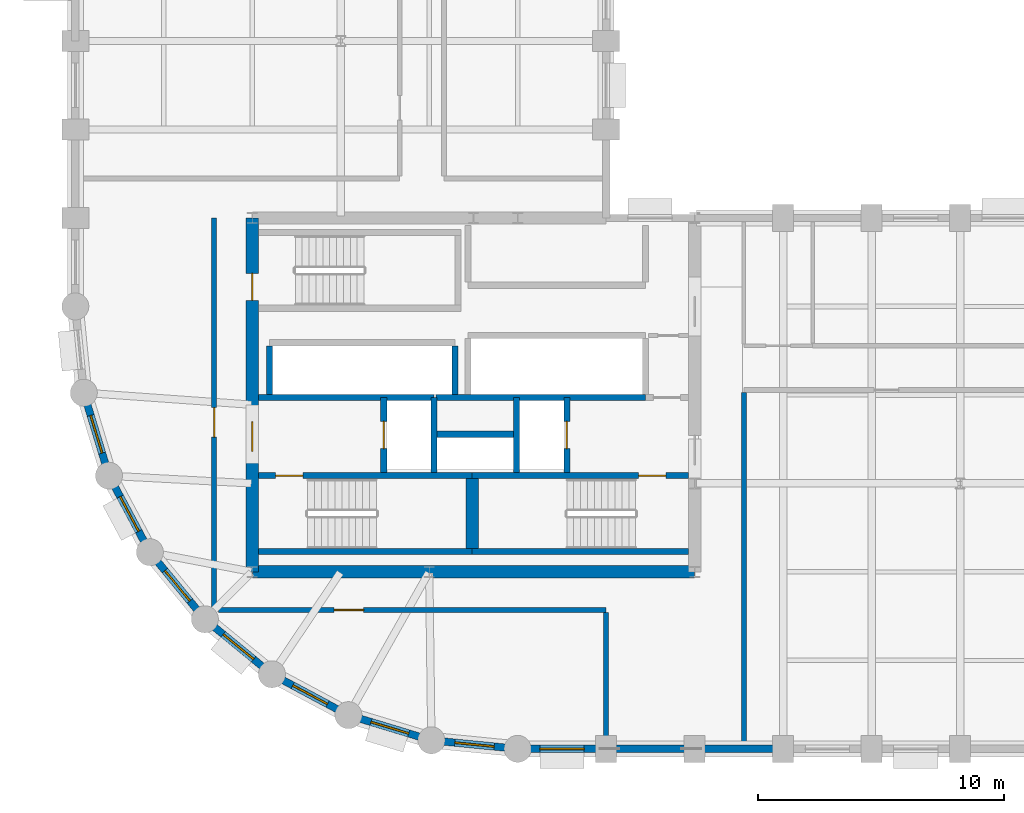
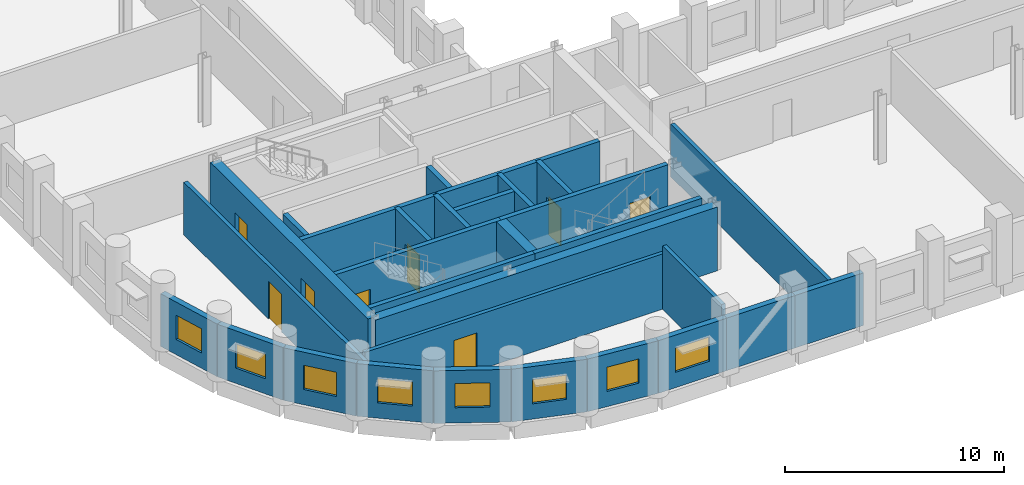
# One storey, part 3 of 8: 30 walls, 8 doors, 8 windows, 16 openings.
"""IFC4 building model written with IfcOpenShell, lengths in metres."""

from ifc_helpers import new_model, si_unit, direction, frame, frame_2d, origin, place, context, subcontext, project, spatial, rectangle, extrude, material, layer, layer_set, type_object, element, fill, save


model = new_model("IFC4")

# Units and contexts
model_context = context("Model", 3, precision=1e-05, world=origin(), true_north=direction((0.0, 1.0)))
body_context = subcontext(model_context, "Body", "Model", "MODEL_VIEW")
ifc_project = project(units=[si_unit("LENGTHUNIT", "METRE"), si_unit("AREAUNIT", "SQUARE_METRE"), si_unit("VOLUMEUNIT", "CUBIC_METRE"), si_unit("PLANEANGLEUNIT", "RADIAN"), si_unit("MASSUNIT", "GRAM", prefix="KILO")], contexts=[model_context])

# Site, building, storey
site_placement = place(None, origin())
site = spatial("IfcSite", under=ifc_project, at=site_placement, CompositionType="ELEMENT")
building_placement = place(site_placement, origin())
building = spatial("IfcBuilding", under=site, at=building_placement, Name="Solnavia Interchange Tower", CompositionType="ELEMENT")
storey_placement = place(building_placement, frame((0.0, 0.0, 120.0)))
storey = spatial("IfcBuildingStorey", under=building, at=storey_placement, Name="L29", CompositionType="ELEMENT", Elevation=120.0)

# Wall, opening, window
ifc_material_1 = material(Name="Concrete C40/50", Category="concrete")
ifc_layer_1 = layer(ifc_material_1, 0.300048828125)
ifc_layer_set_1 = layer_set([ifc_layer_1], Name="Concrete C40/50")
wall_type_1 = type_object("IfcWallType", Name="Wall-ExtSpandrel-300", PredefinedType="STANDARD", material=ifc_layer_set_1)
wall_1_placement = place(storey_placement, frame((28.800048828125, 3.60009765625, 0.0), z_axis=(0.0, 0.0, 1.0), x_axis=(-1.0, 0.0, 0.0)))
wall_1 = element("IfcWall", 1, at=wall_1_placement, inside=storey, type_object=wall_type_1, Name="EXW-L29-01 Exterior precast spandrel wall", PredefinedType="STANDARD", context=body_context, shape_type="SweptSolid", body=[
    extrude(rectangle(XDim=3.60009765625, YDim=0.300048828125, at=frame_2d((1.800048828125, 0.0))), origin(), (0.0, 0.0, 1.0), 2.929931640625),
])
opening_1_placement = place(wall_1_placement, frame((0.89990234375, 0.0, 0.85009765625)))
opening_1 = element("IfcOpeningElement", 2, at=opening_1_placement, cuts=wall_1, Name="Opening WIN-02", PredefinedType="OPENING", context=body_context, shape_type="SweptSolid", body=[
    extrude(rectangle(XDim=1.800048828125, YDim=1.35009765625, at=frame_2d((0.89990234375, 0.675048828125))), frame((0.0, 0.16015625, 0.0), z_axis=(0.0, -1.0, 0.0), x_axis=(1.0, 0.0, 0.0)), (0.0, 0.0, 1.0), 0.320068359375),
])
ifc_material_2 = material(Name="Thermal-Break Aluminium & Low-E Glass", Category="aluminium")
window_type_1 = type_object("IfcWindowType", Name="Window-Ribbon-1800x1350", PartitioningType="SINGLE_PANEL", PredefinedType="WINDOW", material=ifc_material_2)
window_1_placement = place(opening_1_placement, origin())
window_1 = element("IfcWindow", 3, at=window_1_placement, inside=storey, type_object=window_type_1, Name="WIN-L29-01 Facade ribbon window", OverallHeight=1.35009765625, OverallWidth=1.800048828125, PartitioningType="SINGLE_PANEL", PredefinedType="WINDOW", context=body_context, shape_type="SweptSolid", body=[
    extrude(rectangle(XDim=1.800048828125, YDim=1.35009765625, at=frame_2d((0.89990234375, 0.675048828125))), frame((0.0, 0.030029296875, 0.0), z_axis=(0.0, -1.0, 0.0), x_axis=(1.0, 0.0, 0.0)), (0.0, 0.0, 1.0), 0.06005859375),
])
fill(opening_1, window_1)

# Walls
wall_2_placement = place(storey_placement, frame((32.39990234375, 3.60009765625, 0.0), z_axis=(0.0, 0.0, 1.0), x_axis=(-1.0, 0.0, 0.0)))
element("IfcWall", 4, at=wall_2_placement, inside=storey, type_object=wall_type_1, Name="EXW-L29-02 Exterior precast spandrel wall", PredefinedType="STANDARD", context=body_context, shape_type="SweptSolid", body=[
    extrude(rectangle(XDim=3.599853515625, YDim=0.300048828125, at=frame_2d((1.7998046875, 0.0))), origin(), (0.0, 0.0, 1.0), 2.929931640625),
])
wall_3_placement = place(storey_placement, frame((36.0, 3.60009765625, 0.0), z_axis=(0.0, 0.0, 1.0), x_axis=(-1.0, 0.0, 0.0)))
element("IfcWall", 5, at=wall_3_placement, inside=storey, type_object=wall_type_1, Name="EXW-L29-03 Exterior precast spandrel wall", PredefinedType="STANDARD", context=body_context, shape_type="SweptSolid", body=[
    extrude(rectangle(XDim=3.60009765625, YDim=0.300048828125, at=frame_2d((1.800048828125, 0.0))), origin(), (0.0, 0.0, 1.0), 2.929931640625),
])

# Wall, opening, window
wall_4_placement = place(storey_placement, frame((8.570068359375, 14.7119140625, 0.0), z_axis=(0.0, 0.0, 1.0), x_axis=(-0.290305086481, 0.956934144423, 0.0)))
wall_4 = element("IfcWall", 6, at=wall_4_placement, inside=storey, type_object=wall_type_1, Name="EXW-L29-56 Exterior precast spandrel wall", PredefinedType="STANDARD", context=body_context, shape_type="SweptSolid", body=[
    extrude(rectangle(XDim=3.52783203125, YDim=0.300048828125, at=frame_2d((1.763916015625, 0.0))), origin(), (0.0, 0.0, 1.0), 2.929931640625),
])
opening_2_placement = place(wall_4_placement, frame((0.964111328125, 0.0, 0.85009765625)))
opening_2 = element("IfcOpeningElement", 7, at=opening_2_placement, cuts=wall_4, Name="Opening WIN-04", PredefinedType="OPENING", context=body_context, shape_type="SweptSolid", body=[
    extrude(rectangle(XDim=1.60009765625, YDim=1.35009765625, at=frame_2d((0.800048828125, 0.675048828125))), frame((0.0, 0.16015625, 0.0), z_axis=(0.0, -1.0, 0.0), x_axis=(1.0, 0.0, 0.0)), (0.0, 0.0, 1.0), 0.320068359375),
])
window_type_2 = type_object("IfcWindowType", Name="Window-Drum-1600x1350", PartitioningType="SINGLE_PANEL", PredefinedType="WINDOW", material=ifc_material_2)
window_2_placement = place(opening_2_placement, origin())
window_2 = element("IfcWindow", 8, at=window_2_placement, inside=storey, type_object=window_type_2, Name="WIN-L29-56 Facade ribbon window", OverallHeight=1.35009765625, OverallWidth=1.60009765625, PartitioningType="SINGLE_PANEL", PredefinedType="WINDOW", context=body_context, shape_type="SweptSolid", body=[
    extrude(rectangle(XDim=1.60009765625, YDim=1.35009765625, at=frame_2d((0.800048828125, 0.675048828125))), frame((0.0, 0.030029296875, 0.0), z_axis=(0.0, -1.0, 0.0), x_axis=(1.0, 0.0, 0.0)), (0.0, 0.0, 1.0), 0.06005859375),
])
fill(opening_2, window_2)

wall_5_placement = place(storey_placement, frame((10.23388671875, 11.60009765625, 0.0), z_axis=(0.0, 0.0, 1.0), x_axis=(-0.47151087309, 0.881860247748, 0.0)))
wall_5 = element("IfcWall", 9, at=wall_5_placement, inside=storey, type_object=wall_type_1, Name="EXW-L29-57 Exterior precast spandrel wall", PredefinedType="STANDARD", context=body_context, shape_type="SweptSolid", body=[
    extrude(rectangle(XDim=3.52880859375, YDim=0.300048828125, at=frame_2d((1.764404296875, 0.0))), origin(), (0.0, 0.0, 1.0), 2.929931640625),
])
opening_3_placement = place(wall_5_placement, frame((0.964111328125, 0.0, 0.85009765625)))
opening_3 = element("IfcOpeningElement", 10, at=opening_3_placement, cuts=wall_5, Name="Opening WIN-04", PredefinedType="OPENING", context=body_context, shape_type="SweptSolid", body=[
    extrude(rectangle(XDim=1.60009765625, YDim=1.35009765625, at=frame_2d((0.800048828125, 0.675048828125))), frame((0.0, 0.16015625, 0.0), z_axis=(0.0, -1.0, 0.0), x_axis=(1.0, 0.0, 0.0)), (0.0, 0.0, 1.0), 0.320068359375),
])
window_3_placement = place(opening_3_placement, origin())
window_3 = element("IfcWindow", 11, at=window_3_placement, inside=storey, type_object=window_type_2, Name="WIN-L29-57 Facade ribbon window", OverallHeight=1.35009765625, OverallWidth=1.60009765625, PartitioningType="SINGLE_PANEL", PredefinedType="WINDOW", context=body_context, shape_type="SweptSolid", body=[
    extrude(rectangle(XDim=1.60009765625, YDim=1.35009765625, at=frame_2d((0.800048828125, 0.675048828125))), frame((0.0, 0.030029296875, 0.0), z_axis=(0.0, -1.0, 0.0), x_axis=(1.0, 0.0, 0.0)), (0.0, 0.0, 1.0), 0.06005859375),
])
fill(opening_3, window_3)

wall_6_placement = place(storey_placement, frame((12.471923828125, 8.8720703125, 0.0), z_axis=(0.0, 0.0, 1.0), x_axis=(-0.634258295121, 0.773121216285, 0.0)))
wall_6 = element("IfcWall", 12, at=wall_6_placement, inside=storey, type_object=wall_type_1, Name="EXW-L29-58 Exterior precast spandrel wall", PredefinedType="STANDARD", context=body_context, shape_type="SweptSolid", body=[
    extrude(rectangle(XDim=3.528564453125, YDim=0.300048828125, at=frame_2d((1.76416015625, 0.0))), origin(), (0.0, 0.0, 1.0), 2.929931640625),
])
opening_4_placement = place(wall_6_placement, frame((0.964111328125, 0.0, 0.85009765625)))
opening_4 = element("IfcOpeningElement", 13, at=opening_4_placement, cuts=wall_6, Name="Opening WIN-04", PredefinedType="OPENING", context=body_context, shape_type="SweptSolid", body=[
    extrude(rectangle(XDim=1.60009765625, YDim=1.35009765625, at=frame_2d((0.800048828125, 0.675048828125))), frame((0.0, 0.16015625, 0.0), z_axis=(0.0, -1.0, 0.0), x_axis=(1.0, 0.0, 0.0)), (0.0, 0.0, 1.0), 0.320068359375),
])
window_4_placement = place(opening_4_placement, origin())
window_4 = element("IfcWindow", 14, at=window_4_placement, inside=storey, type_object=window_type_2, Name="WIN-L29-58 Facade ribbon window", OverallHeight=1.35009765625, OverallWidth=1.60009765625, PartitioningType="SINGLE_PANEL", PredefinedType="WINDOW", context=body_context, shape_type="SweptSolid", body=[
    extrude(rectangle(XDim=1.60009765625, YDim=1.35009765625, at=frame_2d((0.800048828125, 0.675048828125))), frame((0.0, 0.030029296875, 0.0), z_axis=(0.0, -1.0, 0.0), x_axis=(1.0, 0.0, 0.0)), (0.0, 0.0, 1.0), 0.06005859375),
])
fill(opening_4, window_4)

wall_7_placement = place(storey_placement, frame((15.199951171875, 6.634033203125, 0.0), z_axis=(0.0, 0.0, 1.0), x_axis=(-0.773121216285, 0.634258295121, 0.0)))
wall_7 = element("IfcWall", 15, at=wall_7_placement, inside=storey, type_object=wall_type_1, Name="EXW-L29-59 Exterior precast spandrel wall", PredefinedType="STANDARD", context=body_context, shape_type="SweptSolid", body=[
    extrude(rectangle(XDim=3.528564453125, YDim=0.300048828125, at=frame_2d((1.76416015625, 0.0))), origin(), (0.0, 0.0, 1.0), 2.929931640625),
])
opening_5_placement = place(wall_7_placement, frame((0.964111328125, 0.0, 0.85009765625)))
opening_5 = element("IfcOpeningElement", 16, at=opening_5_placement, cuts=wall_7, Name="Opening WIN-04", PredefinedType="OPENING", context=body_context, shape_type="SweptSolid", body=[
    extrude(rectangle(XDim=1.60009765625, YDim=1.35009765625, at=frame_2d((0.800048828125, 0.675048828125))), frame((0.0, 0.16015625, 0.0), z_axis=(0.0, -1.0, 0.0), x_axis=(1.0, 0.0, 0.0)), (0.0, 0.0, 1.0), 0.320068359375),
])
window_5_placement = place(opening_5_placement, origin())
window_5 = element("IfcWindow", 17, at=window_5_placement, inside=storey, type_object=window_type_2, Name="WIN-L29-59 Facade ribbon window", OverallHeight=1.35009765625, OverallWidth=1.60009765625, PartitioningType="SINGLE_PANEL", PredefinedType="WINDOW", context=body_context, shape_type="SweptSolid", body=[
    extrude(rectangle(XDim=1.60009765625, YDim=1.35009765625, at=frame_2d((0.800048828125, 0.675048828125))), frame((0.0, 0.030029296875, 0.0), z_axis=(0.0, -1.0, 0.0), x_axis=(1.0, 0.0, 0.0)), (0.0, 0.0, 1.0), 0.06005859375),
])
fill(opening_5, window_5)

wall_8_placement = place(storey_placement, frame((18.31201171875, 4.969970703125, 0.0), z_axis=(0.0, 0.0, 1.0), x_axis=(-0.881846862014, 0.471535907389, 0.0)))
wall_8 = element("IfcWall", 18, at=wall_8_placement, inside=storey, type_object=wall_type_1, Name="EXW-L29-60 Exterior precast spandrel wall", PredefinedType="STANDARD", context=body_context, shape_type="SweptSolid", body=[
    extrude(rectangle(XDim=3.529052734375, YDim=0.300048828125, at=frame_2d((1.7646484375, 0.0))), origin(), (0.0, 0.0, 1.0), 2.929931640625),
])
opening_6_placement = place(wall_8_placement, frame((0.964111328125, 0.0, 0.85009765625)))
opening_6 = element("IfcOpeningElement", 19, at=opening_6_placement, cuts=wall_8, Name="Opening WIN-04", PredefinedType="OPENING", context=body_context, shape_type="SweptSolid", body=[
    extrude(rectangle(XDim=1.60009765625, YDim=1.35009765625, at=frame_2d((0.800048828125, 0.675048828125))), frame((0.0, 0.16015625, 0.0), z_axis=(0.0, -1.0, 0.0), x_axis=(1.0, 0.0, 0.0)), (0.0, 0.0, 1.0), 0.320068359375),
])
window_6_placement = place(opening_6_placement, origin())
window_6 = element("IfcWindow", 20, at=window_6_placement, inside=storey, type_object=window_type_2, Name="WIN-L29-60 Facade ribbon window", OverallHeight=1.35009765625, OverallWidth=1.60009765625, PartitioningType="SINGLE_PANEL", PredefinedType="WINDOW", context=body_context, shape_type="SweptSolid", body=[
    extrude(rectangle(XDim=1.60009765625, YDim=1.35009765625, at=frame_2d((0.800048828125, 0.675048828125))), frame((0.0, 0.030029296875, 0.0), z_axis=(0.0, -1.0, 0.0), x_axis=(1.0, 0.0, 0.0)), (0.0, 0.0, 1.0), 0.06005859375),
])
fill(opening_6, window_6)

wall_9_placement = place(storey_placement, frame((21.68798828125, 3.946044921875, 0.0), z_axis=(0.0, 0.0, 1.0), x_axis=(-0.956953367403, 0.290241714123, 0.0)))
wall_9 = element("IfcWall", 21, at=wall_9_placement, inside=storey, type_object=wall_type_1, Name="EXW-L29-61 Exterior precast spandrel wall", PredefinedType="STANDARD", context=body_context, shape_type="SweptSolid", body=[
    extrude(rectangle(XDim=3.52783203125, YDim=0.300048828125, at=frame_2d((1.763916015625, 0.0))), origin(), (0.0, 0.0, 1.0), 2.929931640625),
])
opening_7_placement = place(wall_9_placement, frame((0.964111328125, 0.0, 0.85009765625)))
opening_7 = element("IfcOpeningElement", 22, at=opening_7_placement, cuts=wall_9, Name="Opening WIN-04", PredefinedType="OPENING", context=body_context, shape_type="SweptSolid", body=[
    extrude(rectangle(XDim=1.60009765625, YDim=1.35009765625, at=frame_2d((0.800048828125, 0.675048828125))), frame((0.0, 0.16015625, 0.0), z_axis=(0.0, -1.0, 0.0), x_axis=(1.0, 0.0, 0.0)), (0.0, 0.0, 1.0), 0.320068359375),
])
window_7_placement = place(opening_7_placement, origin())
window_7 = element("IfcWindow", 23, at=window_7_placement, inside=storey, type_object=window_type_2, Name="WIN-L29-61 Facade ribbon window", OverallHeight=1.35009765625, OverallWidth=1.60009765625, PartitioningType="SINGLE_PANEL", PredefinedType="WINDOW", context=body_context, shape_type="SweptSolid", body=[
    extrude(rectangle(XDim=1.60009765625, YDim=1.35009765625, at=frame_2d((0.800048828125, 0.675048828125))), frame((0.0, 0.030029296875, 0.0), z_axis=(0.0, -1.0, 0.0), x_axis=(1.0, 0.0, 0.0)), (0.0, 0.0, 1.0), 0.06005859375),
])
fill(opening_7, window_7)

wall_10_placement = place(storey_placement, frame((25.199951171875, 3.60009765625, 0.0), z_axis=(0.0, 0.0, 1.0), x_axis=(-0.995183369056, 0.098030923459, 0.0)))
wall_10 = element("IfcWall", 24, at=wall_10_placement, inside=storey, type_object=wall_type_1, Name="EXW-L29-62 Exterior precast spandrel wall", PredefinedType="STANDARD", context=body_context, shape_type="SweptSolid", body=[
    extrude(rectangle(XDim=3.529052734375, YDim=0.300048828125, at=frame_2d((1.7646484375, 0.0))), origin(), (0.0, 0.0, 1.0), 2.929931640625),
])
opening_8_placement = place(wall_10_placement, frame((0.965087890625, 0.0, 0.85009765625)))
opening_8 = element("IfcOpeningElement", 25, at=opening_8_placement, cuts=wall_10, Name="Opening WIN-04", PredefinedType="OPENING", context=body_context, shape_type="SweptSolid", body=[
    extrude(rectangle(XDim=1.60009765625, YDim=1.35009765625, at=frame_2d((0.800048828125, 0.675048828125))), frame((0.0, 0.16015625, 0.0), z_axis=(0.0, -1.0, 0.0), x_axis=(1.0, 0.0, 0.0)), (0.0, 0.0, 1.0), 0.320068359375),
])
window_8_placement = place(opening_8_placement, origin())
window_8 = element("IfcWindow", 26, at=window_8_placement, inside=storey, type_object=window_type_2, Name="WIN-L29-62 Facade ribbon window", OverallHeight=1.35009765625, OverallWidth=1.60009765625, PartitioningType="SINGLE_PANEL", PredefinedType="WINDOW", context=body_context, shape_type="SweptSolid", body=[
    extrude(rectangle(XDim=1.60009765625, YDim=1.35009765625, at=frame_2d((0.800048828125, 0.675048828125))), frame((0.0, 0.030029296875, 0.0), z_axis=(0.0, -1.0, 0.0), x_axis=(1.0, 0.0, 0.0)), (0.0, 0.0, 1.0), 0.06005859375),
])
fill(opening_8, window_8)

# Wall, opening, door
ifc_layer_2 = layer(ifc_material_1, 0.199951171875)
ifc_layer_set_2 = layer_set([ifc_layer_2], Name="Concrete C40/50")
wall_type_2 = type_object("IfcWallType", Name="Wall-PlantFire-200", PredefinedType="PARTITIONING", material=ifc_layer_set_2)
wall_11_placement = place(storey_placement, frame((12.85009765625, 8.7158203125, 0.0), z_axis=(0.0, 0.0, 1.0), x_axis=(0.0, 1.0, 0.0)))
wall_11 = element("IfcWall", 27, at=wall_11_placement, inside=storey, type_object=wall_type_2, Name="PTW-L29-01 Interior partition wall", PredefinedType="PARTITIONING", context=body_context, shape_type="SweptSolid", body=[
    extrude(rectangle(XDim=16.484130859375, YDim=0.199951171875, at=frame_2d((8.2421875, 0.0))), origin(), (0.0, 0.0, 1.0), 2.929931640625),
])
opening_9_placement = place(wall_11_placement, frame((7.56494140625, 0.0, 0.0)))
opening_9 = element("IfcOpeningElement", 28, at=opening_9_placement, cuts=wall_11, Name="Opening DR-02", PredefinedType="OPENING", context=body_context, shape_type="SweptSolid", body=[
    extrude(rectangle(XDim=1.199951171875, YDim=2.10009765625, at=frame_2d((0.60009765625, 1.050048828125))), frame((0.0, 0.10986328125, 0.0), z_axis=(0.0, -1.0, 0.0), x_axis=(1.0, 0.0, 0.0)), (0.0, 0.0, 1.0), 0.219970703125),
])
ifc_material_3 = material(Name="Steel Fire-Rated Vision-Panel Door", Category="steel")
door_type_1 = type_object("IfcDoorType", Name="Door-LobbyFire-1200x2100", OperationType="SINGLE_SWING_RIGHT", PredefinedType="DOOR", material=ifc_material_3)
door_1_placement = place(opening_9_placement, origin())
door_1 = element("IfcDoor", 29, at=door_1_placement, inside=storey, type_object=door_type_1, Name="DR-L29-01 Interior room door", OperationType="SINGLE_SWING_LEFT", OverallHeight=2.10009765625, OverallWidth=1.199951171875, PredefinedType="DOOR", context=body_context, shape_type="SweptSolid", body=[
    extrude(rectangle(XDim=1.199951171875, YDim=2.10009765625, at=frame_2d((0.60009765625, 1.050048828125))), frame((0.0, 0.02490234375, 0.0), z_axis=(0.0, -1.0, 0.0), x_axis=(1.0, 0.0, 0.0)), (0.0, 0.0, 1.0), 0.050048828125),
])
fill(opening_9, door_1)

wall_12_placement = place(storey_placement, frame((13.030029296875, 9.25, 0.0), z_axis=(0.0, 0.0, 1.0), x_axis=(1.0, 0.0, 0.0)))
wall_12 = element("IfcWall", 30, at=wall_12_placement, inside=storey, type_object=wall_type_2, Name="PTW-L29-02 Interior partition wall", PredefinedType="PARTITIONING", context=body_context, shape_type="SweptSolid", body=[
    extrude(rectangle(XDim=15.77001953125, YDim=0.199951171875, at=frame_2d((7.885009765625, 0.0))), origin(), (0.0, 0.0, 1.0), 3.080078125),
])
opening_10_placement = place(wall_12_placement, frame((4.697021484375, 0.0, 0.0)))
opening_10 = element("IfcOpeningElement", 31, at=opening_10_placement, cuts=wall_12, Name="Opening DR-02", PredefinedType="OPENING", context=body_context, shape_type="SweptSolid", body=[
    extrude(rectangle(XDim=1.199951171875, YDim=2.10009765625, at=frame_2d((0.60009765625, 1.050048828125))), frame((0.0, 0.10986328125, 0.0), z_axis=(0.0, -1.0, 0.0), x_axis=(1.0, 0.0, 0.0)), (0.0, 0.0, 1.0), 0.219970703125),
])
door_2_placement = place(opening_10_placement, origin())
door_2 = element("IfcDoor", 32, at=door_2_placement, inside=storey, type_object=door_type_1, Name="DR-L29-02 Interior room door", OperationType="SINGLE_SWING_RIGHT", OverallHeight=2.10009765625, OverallWidth=1.199951171875, PredefinedType="DOOR", context=body_context, shape_type="SweptSolid", body=[
    extrude(rectangle(XDim=1.199951171875, YDim=2.10009765625, at=frame_2d((0.60009765625, 1.050048828125))), frame((0.0, 0.02490234375, 0.0), z_axis=(0.0, -1.0, 0.0), x_axis=(1.0, 0.0, 0.0)), (0.0, 0.0, 1.0), 0.050048828125),
])
fill(opening_10, door_2)

# Walls
wall_13_placement = place(storey_placement, frame((28.800048828125, 9.14599609375, 0.0), z_axis=(0.0, 0.0, 1.0), x_axis=(0.0, -1.0, 0.0)))
element("IfcWall", 33, at=wall_13_placement, inside=storey, type_object=wall_type_2, Name="PTW-L29-04 Interior partition wall", PredefinedType="PARTITIONING", context=body_context, shape_type="SweptSolid", body=[
    extrude(rectangle(XDim=5.39208984375, YDim=0.199951171875, at=frame_2d((2.696044921875, 0.0))), origin(), (0.0, 0.0, 1.0), 3.534912109375),
])
wall_14_placement = place(storey_placement, frame((34.39990234375, 3.75390625, 0.0), z_axis=(0.0, 0.0, 1.0), x_axis=(0.0, 1.0, 0.0)))
element("IfcWall", 34, at=wall_14_placement, inside=storey, type_object=wall_type_2, Name="PTW-L29-07 Interior partition wall", PredefinedType="PARTITIONING", context=body_context, shape_type="SweptSolid", body=[
    extrude(rectangle(XDim=14.342041015625, YDim=0.199951171875, at=frame_2d((7.1708984375, 0.0))), origin(), (0.0, 0.0, 1.0), 2.929931640625),
])
ifc_layer_3 = layer(ifc_material_1, 0.25)
ifc_layer_set_3 = layer_set([ifc_layer_3], Name="Concrete C40/50")
wall_type_3 = type_object("IfcWallType", Name="Wall-ShaftCore-250", PredefinedType="SHEAR", material=ifc_layer_set_3)
wall_15_placement = place(storey_placement, frame((14.64990234375, 11.625, 0.0), z_axis=(0.0, 0.0, 1.0), x_axis=(1.0, 0.0, 0.0)))
element("IfcWall", 35, at=wall_15_placement, inside=storey, type_object=wall_type_3, Name="SHW-L29-ST1S Core shear wall", PredefinedType="SHEAR", context=body_context, shape_type="SweptSolid", body=[
    extrude(rectangle(XDim=8.7001953125, YDim=0.25, at=frame_2d((4.35009765625, 0.0))), origin(), (0.0, 0.0, 1.0), 3.550048828125),
])

# Wall, opening, door
wall_16_placement = place(storey_placement, frame((14.64990234375, 14.715087890625, 0.0), z_axis=(0.0, 0.0, 1.0), x_axis=(1.0, 0.0, 0.0)))
wall_16 = element("IfcWall", 36, at=wall_16_placement, inside=storey, type_object=wall_type_3, Name="SHW-L29-ST1N Core shear wall", PredefinedType="SHEAR", context=body_context, shape_type="SweptSolid", body=[
    extrude(rectangle(XDim=8.7001953125, YDim=0.25, at=frame_2d((4.35009765625, 0.0))), origin(), (0.0, 0.0, 1.0), 3.550048828125),
])
opening_11_placement = place(wall_16_placement, frame((0.705078125, 0.0, 0.0)))
opening_11 = element("IfcOpeningElement", 37, at=opening_11_placement, cuts=wall_16, Name="Opening DR-01", PredefinedType="OPENING", context=body_context, shape_type="SweptSolid", body=[
    extrude(rectangle(XDim=1.10009765625, YDim=2.10009765625, at=frame_2d((0.550048828125, 1.050048828125))), frame((0.0, 0.135009765625, 0.0), z_axis=(0.0, -1.0, 0.0), x_axis=(1.0, 0.0, 0.0)), (0.0, 0.0, 1.0), 0.27001953125),
])
ifc_material_4 = material(Name="Steel Fire-Rated Leaf & Frame", Category="steel")
door_type_2 = type_object("IfcDoorType", Name="Door-StairFire-1100x2100", OperationType="SINGLE_SWING_LEFT", PredefinedType="DOOR", material=ifc_material_4)
door_3_placement = place(opening_11_placement, origin())
door_3 = element("IfcDoor", 38, at=door_3_placement, inside=storey, type_object=door_type_2, Name="DR-L29-ST1 Core fire door", OperationType="SINGLE_SWING_LEFT", OverallHeight=2.10009765625, OverallWidth=1.10009765625, PredefinedType="DOOR", context=body_context, shape_type="SweptSolid", body=[
    extrude(rectangle(XDim=1.10009765625, YDim=2.10009765625, at=frame_2d((0.550048828125, 1.050048828125))), frame((0.0, 0.02490234375, 0.0), z_axis=(0.0, -1.0, 0.0), x_axis=(1.0, 0.0, 0.0)), (0.0, 0.0, 1.0), 0.050048828125),
])
fill(opening_11, door_3)

# Wall
wall_17_placement = place(storey_placement, frame((23.35009765625, 11.625, 0.0), z_axis=(0.0, 0.0, 1.0), x_axis=(1.0, 0.0, 0.0)))
element("IfcWall", 39, at=wall_17_placement, inside=storey, type_object=wall_type_3, Name="SHW-L29-ST2S Core shear wall", PredefinedType="SHEAR", context=body_context, shape_type="SweptSolid", body=[
    extrude(rectangle(XDim=8.7998046875, YDim=0.25, at=frame_2d((4.39990234375, 0.0))), origin(), (0.0, 0.0, 1.0), 3.550048828125),
])

# Wall, opening, door
wall_18_placement = place(storey_placement, frame((23.35009765625, 14.715087890625, 0.0), z_axis=(0.0, 0.0, 1.0), x_axis=(1.0, 0.0, 0.0)))
wall_18 = element("IfcWall", 40, at=wall_18_placement, inside=storey, type_object=wall_type_3, Name="SHW-L29-ST2N Core shear wall", PredefinedType="SHEAR", context=body_context, shape_type="SweptSolid", body=[
    extrude(rectangle(XDim=8.7998046875, YDim=0.25, at=frame_2d((4.39990234375, 0.0))), origin(), (0.0, 0.0, 1.0), 3.550048828125),
])
opening_12_placement = place(wall_18_placement, frame((6.77490234375, 0.0, 0.0)))
opening_12 = element("IfcOpeningElement", 41, at=opening_12_placement, cuts=wall_18, Name="Opening DR-01", PredefinedType="OPENING", context=body_context, shape_type="SweptSolid", body=[
    extrude(rectangle(XDim=1.10009765625, YDim=2.10009765625, at=frame_2d((0.550048828125, 1.050048828125))), frame((0.0, 0.135009765625, 0.0), z_axis=(0.0, -1.0, 0.0), x_axis=(1.0, 0.0, 0.0)), (0.0, 0.0, 1.0), 0.27001953125),
])
door_4_placement = place(opening_12_placement, origin())
door_4 = element("IfcDoor", 42, at=door_4_placement, inside=storey, type_object=door_type_2, Name="DR-L29-ST2 Core fire door", OperationType="SINGLE_SWING_LEFT", OverallHeight=2.10009765625, OverallWidth=1.10009765625, PredefinedType="DOOR", context=body_context, shape_type="SweptSolid", body=[
    extrude(rectangle(XDim=1.10009765625, YDim=2.10009765625, at=frame_2d((0.550048828125, 1.050048828125))), frame((0.0, 0.02490234375, 0.0), z_axis=(0.0, -1.0, 0.0), x_axis=(1.0, 0.0, 0.0)), (0.0, 0.0, 1.0), 0.050048828125),
])
fill(opening_12, door_4)

# Wall
ifc_layer_4 = layer(ifc_material_1, 0.25)
ifc_layer_set_4 = layer_set([ifc_layer_4], Name="Concrete C40/50")
wall_type_4 = type_object("IfcWallType", Name="Wall-ShaftPart-250", PredefinedType="PARTITIONING", material=ifc_layer_set_4)
wall_19_placement = place(storey_placement, frame((14.64990234375, 17.89990234375, 0.0), z_axis=(0.0, 0.0, 1.0), x_axis=(1.0, 0.0, 0.0)))
element("IfcWall", 43, at=wall_19_placement, inside=storey, type_object=wall_type_4, Name="SHW-L29-FFLW-N Core shaft wall", PredefinedType="PARTITIONING", context=body_context, shape_type="SweptSolid", body=[
    extrude(rectangle(XDim=7.150146484375, YDim=0.25, at=frame_2d((3.5751953125, 0.0))), origin(), (0.0, 0.0, 1.0), 3.534912109375),
])

# Wall, opening, door
wall_20_placement = place(storey_placement, frame((19.75, 14.840087890625, 0.0), z_axis=(0.0, 0.0, 1.0), x_axis=(0.0, 1.0, 0.0)))
wall_20 = element("IfcWall", 44, at=wall_20_placement, inside=storey, type_object=wall_type_4, Name="SHW-L29-FFL1-W Core shaft wall", PredefinedType="PARTITIONING", context=body_context, shape_type="SweptSolid", body=[
    extrude(rectangle(XDim=3.059814453125, YDim=0.25, at=frame_2d((1.52978515625, 0.0))), origin(), (0.0, 0.0, 1.0), 3.534912109375),
])
opening_13_placement = place(wall_20_placement, frame((0.97998046875, 0.0, 0.0)))
opening_13 = element("IfcOpeningElement", 45, at=opening_13_placement, cuts=wall_20, Name="Opening LD-01", PredefinedType="OPENING", context=body_context, shape_type="SweptSolid", body=[
    extrude(rectangle(XDim=1.10009765625, YDim=2.10009765625, at=frame_2d((0.550048828125, 1.050048828125))), frame((0.0, 0.135009765625, 0.0), z_axis=(0.0, -1.0, 0.0), x_axis=(1.0, 0.0, 0.0)), (0.0, 0.0, 1.0), 0.27001953125),
])
ifc_material_5 = material(Name="Brushed Stainless Steel Sliding Door", Category="steel")
door_type_3 = type_object("IfcDoorType", Name="Door-LiftLanding-1100x2100", OperationType="SLIDING_TO_LEFT", PredefinedType="DOOR", material=ifc_material_5)
door_5_placement = place(opening_13_placement, origin())
door_5 = element("IfcDoor", 46, at=door_5_placement, inside=storey, type_object=door_type_3, Name="LD-L29-FFL1 Lift landing sliding door", OperationType="SLIDING_TO_LEFT", OverallHeight=2.10009765625, OverallWidth=1.10009765625, PredefinedType="DOOR", context=body_context, shape_type="SweptSolid", body=[
    extrude(rectangle(XDim=1.10009765625, YDim=2.10009765625, at=frame_2d((0.550048828125, 1.050048828125))), frame((0.0, 0.02490234375, 0.0), z_axis=(0.0, -1.0, 0.0), x_axis=(1.0, 0.0, 0.0)), (0.0, 0.0, 1.0), 0.050048828125),
])
fill(opening_13, door_5)

# Walls
wall_21_placement = place(storey_placement, frame((21.800048828125, 14.840087890625, 0.0), z_axis=(0.0, 0.0, 1.0), x_axis=(0.0, 1.0, 0.0)))
element("IfcWall", 47, at=wall_21_placement, inside=storey, type_object=wall_type_4, Name="SHW-L29-FFL1-E Core shaft wall", PredefinedType="PARTITIONING", context=body_context, shape_type="SweptSolid", body=[
    extrude(rectangle(XDim=3.059814453125, YDim=0.25, at=frame_2d((1.52978515625, 0.0))), origin(), (0.0, 0.0, 1.0), 3.534912109375),
])
wall_22_placement = place(storey_placement, frame((21.8798828125, 17.89990234375, 0.0), z_axis=(0.0, 0.0, 1.0), x_axis=(1.0, 0.0, 0.0)))
element("IfcWall", 48, at=wall_22_placement, inside=storey, type_object=wall_type_4, Name="SHW-L29-FFLE-N1 Core shaft wall", PredefinedType="PARTITIONING", context=body_context, shape_type="SweptSolid", body=[
    extrude(rectangle(XDim=8.52001953125, YDim=0.25, at=frame_2d((4.260009765625, 0.0))), origin(), (0.0, 0.0, 1.0), 3.534912109375),
])
wall_23_placement = place(storey_placement, frame((25.14990234375, 14.840087890625, 0.0), z_axis=(0.0, 0.0, 1.0), x_axis=(0.0, 1.0, 0.0)))
element("IfcWall", 49, at=wall_23_placement, inside=storey, type_object=wall_type_4, Name="SHW-L29-FFL2-W Core shaft wall", PredefinedType="PARTITIONING", context=body_context, shape_type="SweptSolid", body=[
    extrude(rectangle(XDim=3.059814453125, YDim=0.25, at=frame_2d((1.52978515625, 0.0))), origin(), (0.0, 0.0, 1.0), 3.534912109375),
])

# Wall, opening, door
wall_24_placement = place(storey_placement, frame((27.199951171875, 14.840087890625, 0.0), z_axis=(0.0, 0.0, 1.0), x_axis=(0.0, 1.0, 0.0)))
wall_24 = element("IfcWall", 50, at=wall_24_placement, inside=storey, type_object=wall_type_4, Name="SHW-L29-FFL2-E Core shaft wall", PredefinedType="PARTITIONING", context=body_context, shape_type="SweptSolid", body=[
    extrude(rectangle(XDim=3.059814453125, YDim=0.25, at=frame_2d((1.52978515625, 0.0))), origin(), (0.0, 0.0, 1.0), 3.534912109375),
])
opening_14_placement = place(wall_24_placement, frame((0.97998046875, 0.0, 0.0)))
opening_14 = element("IfcOpeningElement", 51, at=opening_14_placement, cuts=wall_24, Name="Opening LD-01", PredefinedType="OPENING", context=body_context, shape_type="SweptSolid", body=[
    extrude(rectangle(XDim=1.10009765625, YDim=2.10009765625, at=frame_2d((0.550048828125, 1.050048828125))), frame((0.0, 0.135009765625, 0.0), z_axis=(0.0, -1.0, 0.0), x_axis=(1.0, 0.0, 0.0)), (0.0, 0.0, 1.0), 0.27001953125),
])
door_6_placement = place(opening_14_placement, origin())
door_6 = element("IfcDoor", 52, at=door_6_placement, inside=storey, type_object=door_type_3, Name="LD-L29-FFL2 Lift landing sliding door", OperationType="SLIDING_TO_LEFT", OverallHeight=2.10009765625, OverallWidth=1.10009765625, PredefinedType="DOOR", context=body_context, shape_type="SweptSolid", body=[
    extrude(rectangle(XDim=1.10009765625, YDim=2.10009765625, at=frame_2d((0.550048828125, 1.050048828125))), frame((0.0, 0.02490234375, 0.0), z_axis=(0.0, -1.0, 0.0), x_axis=(1.0, 0.0, 0.0)), (0.0, 0.0, 1.0), 0.050048828125),
])
fill(opening_14, door_6)

# Walls
wall_25_placement = place(storey_placement, frame((21.800048828125, 16.39990234375, 0.0), z_axis=(0.0, 0.0, 1.0), x_axis=(1.0, 0.0, 0.0)))
element("IfcWall", 53, at=wall_25_placement, inside=storey, type_object=wall_type_4, Name="SHW-L29-MEP-N Core shaft wall", PredefinedType="PARTITIONING", context=body_context, shape_type="SweptSolid", body=[
    extrude(rectangle(XDim=3.349853515625, YDim=0.25, at=frame_2d((1.6748046875, 0.0))), origin(), (0.0, 0.0, 1.0), 3.534912109375),
])
for number, where, z_axis, x_axis, name in (
    (54, (15.10009765625, 18.02490234375, 0.0), (0.0, 0.0, 1.0), (0.0, 1.0, 0.0), "SHW-L29-B1W Core shaft wall"),
    (55, (22.64990234375, 18.02490234375, 0.0), (0.0, 0.0, 1.0), (0.0, 1.0, 0.0), "SHW-L29-B1E Core shaft wall"),
):
    element("IfcWall", number, at=place(storey_placement, frame(where, z_axis=z_axis, x_axis=x_axis)), inside=storey, type_object=wall_type_4, Name=name, PredefinedType="PARTITIONING", context=body_context, shape_type="SweptSolid", body=[
        extrude(rectangle(XDim=1.97509765625, YDim=0.25, at=frame_2d((0.987548828125, 0.0))), origin(), (0.0, 0.0, 1.0), 3.534912109375),
    ])
ifc_material_6 = material(Name="Concrete C60/75", Category="concrete")
ifc_layer_5 = layer(ifc_material_6, 0.5)
ifc_layer_set_5 = layer_set([ifc_layer_5], Name="Concrete C60/75")
wall_type_5 = type_object("IfcWallType", Name="Wall-ShearCore-500", PredefinedType="SHEAR", material=ifc_layer_set_5)
wall_26_placement = place(storey_placement, frame((14.39990234375, 10.800048828125, 0.0), z_axis=(0.0, 0.0, 1.0), x_axis=(1.0, 0.0, 0.0)))
element("IfcWall", 56, at=wall_26_placement, inside=storey, type_object=wall_type_5, Name="CRW-L29-S Core shear wall", PredefinedType="SHEAR", context=body_context, shape_type="SweptSolid", body=[
    extrude(rectangle(XDim=18.0, YDim=0.5, at=frame_2d((9.0, 0.0))), origin(), (0.0, 0.0, 1.0), 3.550048828125),
])

# Wall, openings, doors
wall_27_placement = place(storey_placement, frame((14.39990234375, 10.800048828125, 0.0), z_axis=(0.0, 0.0, 1.0), x_axis=(0.0, 1.0, 0.0)))
wall_27 = element("IfcWall", 57, at=wall_27_placement, inside=storey, type_object=wall_type_5, Name="CRW-L29-W Core shear wall", PredefinedType="SHEAR", context=body_context, shape_type="SweptSolid", body=[
    extrude(rectangle(XDim=14.39990234375, YDim=0.5, at=frame_2d((7.199951171875, 0.0))), origin(), (0.0, 0.0, 1.0), 3.550048828125),
])
opening_15_placement = place(wall_27_placement, frame((11.050048828125, 0.0, 0.0)))
opening_15 = element("IfcOpeningElement", 58, at=opening_15_placement, cuts=wall_27, Name="Opening DR-01", PredefinedType="OPENING", context=body_context, shape_type="SweptSolid", body=[
    extrude(rectangle(XDim=1.10009765625, YDim=2.10009765625, at=frame_2d((0.550048828125, 1.050048828125))), frame((0.0, 0.260009765625, 0.0), z_axis=(0.0, -1.0, 0.0), x_axis=(1.0, 0.0, 0.0)), (0.0, 0.0, 1.0), 0.52001953125),
])
opening_16_placement = place(wall_27_placement, frame((4.89990234375, 0.0, 0.0)))
opening_16 = element("IfcOpeningElement", 59, at=opening_16_placement, cuts=wall_27, Name="Opening DR-02", PredefinedType="OPENING", context=body_context, shape_type="SweptSolid", body=[
    extrude(rectangle(XDim=1.199951171875, YDim=2.10009765625, at=frame_2d((0.60009765625, 1.050048828125))), frame((0.0, 0.260009765625, 0.0), z_axis=(0.0, -1.0, 0.0), x_axis=(1.0, 0.0, 0.0)), (0.0, 0.0, 1.0), 0.52001953125),
])
door_7_placement = place(opening_16_placement, origin())
door_7 = element("IfcDoor", 60, at=door_7_placement, inside=storey, type_object=door_type_1, Name="DR-L29-FFL1W Core fire door", OperationType="SINGLE_SWING_RIGHT", OverallHeight=2.10009765625, OverallWidth=1.199951171875, PredefinedType="DOOR", context=body_context, shape_type="SweptSolid", body=[
    extrude(rectangle(XDim=1.199951171875, YDim=2.10009765625, at=frame_2d((0.60009765625, 1.050048828125))), frame((0.0, 0.02490234375, 0.0), z_axis=(0.0, -1.0, 0.0), x_axis=(1.0, 0.0, 0.0)), (0.0, 0.0, 1.0), 0.050048828125),
])
fill(opening_16, door_7)
door_8_placement = place(opening_15_placement, origin())
door_8 = element("IfcDoor", 61, at=door_8_placement, inside=storey, type_object=door_type_2, Name="DR-L29-ST3 Core fire door", OperationType="SINGLE_SWING_RIGHT", OverallHeight=2.10009765625, OverallWidth=1.10009765625, PredefinedType="DOOR", context=body_context, shape_type="SweptSolid", body=[
    extrude(rectangle(XDim=1.10009765625, YDim=2.10009765625, at=frame_2d((0.550048828125, 1.050048828125))), frame((0.0, 0.02490234375, 0.0), z_axis=(0.0, -1.0, 0.0), x_axis=(1.0, 0.0, 0.0)), (0.0, 0.0, 1.0), 0.050048828125),
])
fill(opening_15, door_8)

# Wall
wall_28_placement = place(storey_placement, frame((23.35009765625, 11.75, 0.0), z_axis=(0.0, 0.0, 1.0), x_axis=(0.0, 1.0, 0.0)))
element("IfcWall", 62, at=wall_28_placement, inside=storey, type_object=wall_type_5, Name="SHW-L29-ST12M Core shear wall", PredefinedType="SHEAR", context=body_context, shape_type="SweptSolid", body=[
    extrude(rectangle(XDim=2.840087890625, YDim=0.5, at=frame_2d((1.419921875, 0.0))), origin(), (0.0, 0.0, 1.0), 3.550048828125),
])

save(model, "model.ifc")
